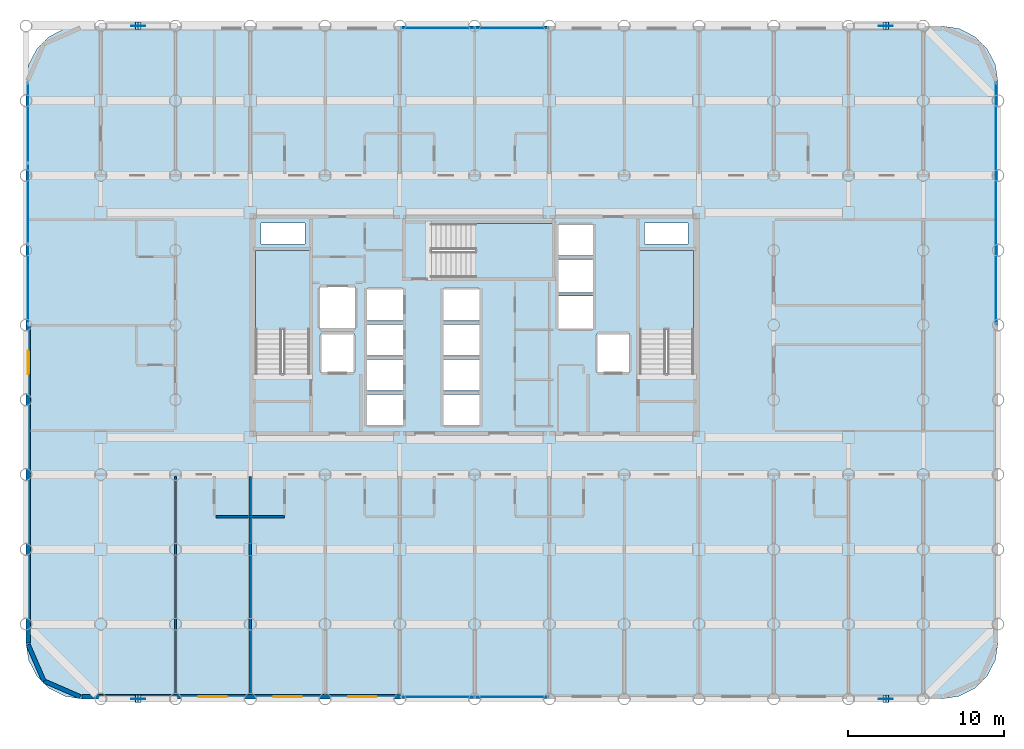
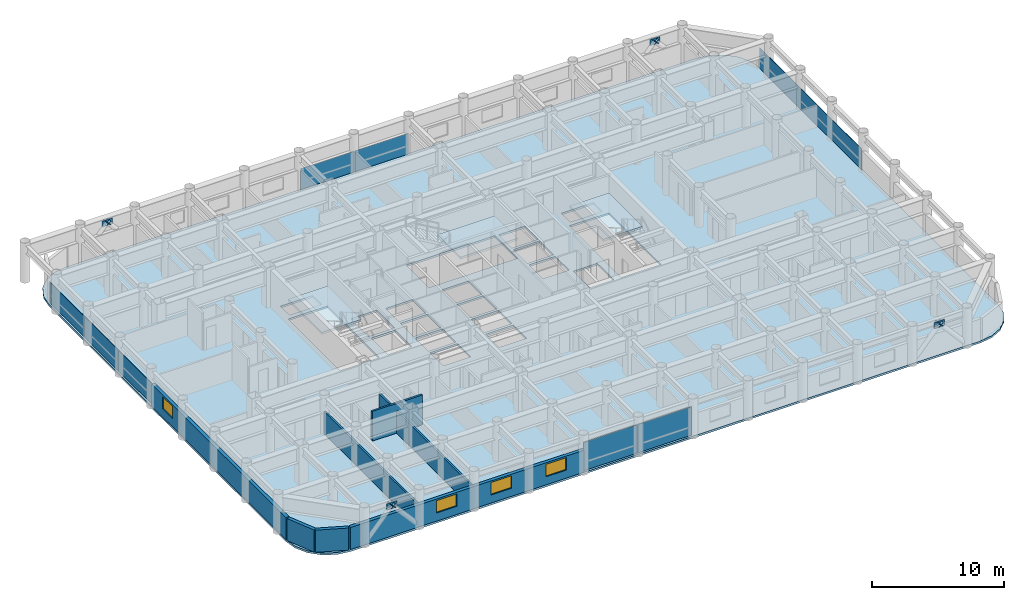
# One storey, part 14 of 21: 20 plates, 7 walls, 4 slabs, 4 windows, 4 openings, 7 elements without a shape of their own.
"""IFC4 building model written with IfcOpenShell, lengths in metres."""

from ifc_helpers import new_model, si_unit, direction, frame, frame_2d, origin, origin_2d, place, context, subcontext, project, spatial, polyline, rectangle, outline, extrude, material, layer, layer_set, type_object, element, fill, aggregate, save


model = new_model("IFC4")

# Units and contexts
model_context = context("Model", 3, precision=1e-05, world=origin(), true_north=direction((0.0, 1.0)))
body_context = subcontext(model_context, "Body", "Model", "MODEL_VIEW")
ifc_project = project(units=[si_unit("LENGTHUNIT", "METRE"), si_unit("AREAUNIT", "SQUARE_METRE"), si_unit("VOLUMEUNIT", "CUBIC_METRE"), si_unit("PLANEANGLEUNIT", "RADIAN"), si_unit("MASSUNIT", "GRAM", prefix="KILO")], contexts=[model_context])

# Site, building, storey
site_placement = place(None, origin())
site = spatial("IfcSite", under=ifc_project, at=site_placement, CompositionType="ELEMENT")
building_placement = place(site_placement, origin())
building = spatial("IfcBuilding", under=site, at=building_placement, Name="Kallvorn Hotel Tower", CompositionType="ELEMENT")
storey_placement = place(building_placement, frame((0.0, 0.0, 85.5)))
storey = spatial("IfcBuildingStorey", under=building, at=storey_placement, Name="L20", CompositionType="ELEMENT", Elevation=85.5)

# Curtain wall, plates
ifc_material_1 = material(Name="Thermally broken black-anodised aluminium AA 6063-T6", Category="aluminium")
ifc_layer_1 = layer(ifc_material_1, 0.199951171875)
ifc_layer_set_1 = layer_set([ifc_layer_1], Name="CW_SYS_3_HOTEL_LOW")
curtain_wall_type = type_object("IfcCurtainWallType", Name="CW_SYS_3_HOTEL_LOW", PredefinedType="USERDEFINED", material=ifc_layer_set_1)
curtain_wall_1_placement = place(storey_placement, origin())
curtain_wall_1 = element("IfcCurtainWall", 1, at=curtain_wall_1_placement, inside=storey, type_object=curtain_wall_type, Name="L20 Dark-Glass Curtain Wall CW-L20-SC", ObjectType="UNITISED CURTAIN WALL", PredefinedType="USERDEFINED")
ifc_material_2 = material(Name="Double-glazed low-e solar-control dark glass", Category="glass")
ifc_layer_2 = layer(ifc_material_2, 0.035888671875)
ifc_layer_set_2 = layer_set([ifc_layer_2], Name="CW_SYS_3_HOTEL_LOW_PANEL")
plate_type_1 = type_object("IfcPlateType", Name="CW_SYS_3_HOTEL_LOW_PANEL", PredefinedType="CURTAIN_PANEL", material=ifc_layer_set_2)
plate_1_placement = place(storey_placement, frame((-2.375, -23.8798828125, 0.06005859375), z_axis=(0.0, 0.0, 1.0), x_axis=(1.0, 0.0, 0.0)))
plate_1 = element("IfcPlate", 2, at=plate_1_placement, type_object=plate_type_1, Name="CW-L20-SC Vision Glass Panel 00", PredefinedType="CURTAIN_PANEL", context=body_context, shape_type="SweptSolid", body=[
    extrude(rectangle(XDim=4.68994140625, YDim=0.035888671875, at=origin_2d()), origin(), (0.0, 0.0, 1.0), 2.6298828125),
])
plate_2_placement = place(storey_placement, frame((2.375, -23.8798828125, 0.06005859375), z_axis=(0.0, 0.0, 1.0), x_axis=(1.0, 0.0, 0.0)))
plate_2 = element("IfcPlate", 3, at=plate_2_placement, type_object=plate_type_1, Name="CW-L20-SC Vision Glass Panel 01", PredefinedType="CURTAIN_PANEL", context=body_context, shape_type="SweptSolid", body=[
    extrude(rectangle(XDim=4.68994140625, YDim=0.035888671875, at=origin_2d()), origin(), (0.0, 0.0, 1.0), 2.6298828125),
])
aggregate(curtain_wall_1, [plate_1, plate_2])

curtain_wall_2_placement = place(storey_placement, origin())
curtain_wall_2 = element("IfcCurtainWall", 4, at=curtain_wall_2_placement, inside=storey, type_object=curtain_wall_type, Name="L20 Dark-Glass Curtain Wall CW-L20-NC", ObjectType="UNITISED CURTAIN WALL", PredefinedType="USERDEFINED")
plate_3_placement = place(storey_placement, frame((-2.375, 19.080078125, 0.06005859375), z_axis=(0.0, 0.0, 1.0), x_axis=(1.0, 0.0, 0.0)))
plate_3 = element("IfcPlate", 5, at=plate_3_placement, type_object=plate_type_1, Name="CW-L20-NC Vision Glass Panel 00", PredefinedType="CURTAIN_PANEL", context=body_context, shape_type="SweptSolid", body=[
    extrude(rectangle(XDim=4.68994140625, YDim=0.035888671875, at=origin_2d()), origin(), (0.0, 0.0, 1.0), 1.929931640625),
])
plate_4_placement = place(storey_placement, frame((2.375, 19.080078125, 0.06005859375), z_axis=(0.0, 0.0, 1.0), x_axis=(1.0, 0.0, 0.0)))
plate_4 = element("IfcPlate", 6, at=plate_4_placement, type_object=plate_type_1, Name="CW-L20-NC Vision Glass Panel 01", PredefinedType="CURTAIN_PANEL", context=body_context, shape_type="SweptSolid", body=[
    extrude(rectangle(XDim=4.68994140625, YDim=0.035888671875, at=origin_2d()), origin(), (0.0, 0.0, 1.0), 1.929931640625),
])
aggregate(curtain_wall_2, [plate_3, plate_4])

curtain_wall_3_placement = place(storey_placement, origin())
curtain_wall_3 = element("IfcCurtainWall", 7, at=curtain_wall_3_placement, inside=storey, type_object=curtain_wall_type, Name="L20 Dark-Glass Curtain Wall CW-L20-WN", ObjectType="UNITISED CURTAIN WALL", PredefinedType="USERDEFINED")
plate_5_placement = place(storey_placement, frame((-28.679931640625, 2.61669921875, 0.06005859375), z_axis=(0.0, 0.0, 1.0), x_axis=(0.0, 1.0, 0.0)))
plate_5 = element("IfcPlate", 8, at=plate_5_placement, type_object=plate_type_1, Name="CW-L20-WN Vision Glass Panel 00", PredefinedType="CURTAIN_PANEL", context=body_context, shape_type="SweptSolid", body=[
    extrude(rectangle(XDim=5.13330078125, YDim=0.035888671875, at=origin_2d()), origin(), (0.0, 0.0, 1.0), 1.929931640625),
])
plate_6_placement = place(storey_placement, frame((-28.679931640625, 7.81005859375, 0.06005859375), z_axis=(0.0, 0.0, 1.0), x_axis=(0.0, 1.0, 0.0)))
plate_6 = element("IfcPlate", 9, at=plate_6_placement, type_object=plate_type_1, Name="CW-L20-WN Vision Glass Panel 01", PredefinedType="CURTAIN_PANEL", context=body_context, shape_type="SweptSolid", body=[
    extrude(rectangle(XDim=5.13330078125, YDim=0.035888671875, at=origin_2d()), origin(), (0.0, 0.0, 1.0), 1.929931640625),
])
plate_7_placement = place(storey_placement, frame((-28.679931640625, 13.00341796875, 0.06005859375), z_axis=(0.0, 0.0, 1.0), x_axis=(0.0, 1.0, 0.0)))
plate_7 = element("IfcPlate", 10, at=plate_7_placement, type_object=plate_type_1, Name="CW-L20-WN Vision Glass Panel 02", PredefinedType="CURTAIN_PANEL", context=body_context, shape_type="SweptSolid", body=[
    extrude(rectangle(XDim=5.13330078125, YDim=0.035888671875, at=origin_2d()), origin(), (0.0, 0.0, 1.0), 1.929931640625),
])
aggregate(curtain_wall_3, [plate_5, plate_6, plate_7])

# Curtain wall, plate
curtain_wall_4_placement = place(storey_placement, origin())
curtain_wall_4 = element("IfcCurtainWall", 11, at=curtain_wall_4_placement, inside=storey, type_object=curtain_wall_type, Name="L20 Dark-Glass Curtain Wall CW-L20-EN", ObjectType="UNITISED CURTAIN WALL", PredefinedType="USERDEFINED")
plate_8_placement = place(storey_placement, frame((33.47998046875, 7.81005859375, 0.06005859375), z_axis=(0.0, 0.0, 1.0), x_axis=(0.0, 1.0, 0.0)))
plate_8 = element("IfcPlate", 12, at=plate_8_placement, type_object=plate_type_1, Name="CW-L20-EN Vision Glass Panel 00", PredefinedType="CURTAIN_PANEL", context=body_context, shape_type="SweptSolid", body=[
    extrude(rectangle(XDim=15.52001953125, YDim=0.035888671875, at=origin_2d()), origin(), (0.0, 0.0, 1.0), 1.929931640625),
])
aggregate(curtain_wall_4, [plate_8])

# Plates
ifc_material_3 = material(Name="Structural steel S355JR", Category="steel")
ifc_layer_3 = layer(ifc_material_3, 0.030029296875)
ifc_layer_set_3 = layer_set([ifc_layer_3], Name="PLT_CAP_30")
plate_type_2 = type_object("IfcPlateType", Name="PLT_CAP_30", PredefinedType="SHEET", material=ifc_layer_set_3)
plate_9_placement = place(storey_placement, frame((-21.411376953125, -24.2431640625, 2.736083984375), z_axis=(0.663147763944, 0.0, 0.748488505708), x_axis=(0.0, 1.0, 0.0)))
element("IfcPlate", 13, at=plate_9_placement, inside=storey, type_object=plate_type_2, Name="EXO-L20-S1A End Cap Plate B", PredefinedType="SHEET", context=body_context, shape_type="SweptSolid", body=[
    extrude(outline(polyline([(0.0, 0.0), (0.486328125, 0.0), (0.486328125, 0.48633167924309906), (0.0, 0.48633167924309906), (0.0, 0.0)])), origin(), (0.0, 0.0, -1.0), 0.030029296875),
])
plate_10_placement = place(storey_placement, frame((-21.788818359375, -23.7568359375, 2.736083984375), z_axis=(-0.662898646707, 0.0, 0.748709145259), x_axis=(0.0, -1.0, 0.0)))
element("IfcPlate", 14, at=plate_10_placement, inside=storey, type_object=plate_type_2, Name="EXO-L20-S1B End Cap Plate B", PredefinedType="SHEET", context=body_context, shape_type="SweptSolid", body=[
    extrude(outline(polyline([(0.0, 0.0), (0.486328125, 0.0), (0.486328125, 0.48651444263328664), (0.0, 0.48651444263328664), (0.0, 0.0)])), origin(), (0.0, 0.0, -1.0), 0.030029296875),
])
plate_11_placement = place(storey_placement, frame((26.588623046875, -24.2431640625, 2.736083984375), z_axis=(0.663147763944, 0.0, 0.748488505708), x_axis=(0.0, 1.0, 0.0)))
element("IfcPlate", 15, at=plate_11_placement, inside=storey, type_object=plate_type_2, Name="EXO-L20-S2A End Cap Plate B", PredefinedType="SHEET", context=body_context, shape_type="SweptSolid", body=[
    extrude(outline(polyline([(0.0, 0.0), (0.486328125, 0.0), (0.486328125, 0.48633167924309906), (0.0, 0.48633167924309906), (0.0, 0.0)])), origin(), (0.0, 0.0, -1.0), 0.030029296875),
])
plate_12_placement = place(storey_placement, frame((26.211181640625, -23.7568359375, 2.736083984375), z_axis=(-0.662898646707, 0.0, 0.748709145259), x_axis=(0.0, -1.0, 0.0)))
element("IfcPlate", 16, at=plate_12_placement, inside=storey, type_object=plate_type_2, Name="EXO-L20-S2B End Cap Plate B", PredefinedType="SHEET", context=body_context, shape_type="SweptSolid", body=[
    extrude(outline(polyline([(0.0, 0.0), (0.486328125, 0.0), (0.486328125, 0.48651444263328664), (0.0, 0.48651444263328664), (0.0, 0.0)])), origin(), (0.0, 0.0, -1.0), 0.030029296875),
])
plate_13_placement = place(storey_placement, frame((-21.411376953125, 18.956787109375, 2.736083984375), z_axis=(0.663147763944, 0.0, 0.748488505708), x_axis=(0.0, 1.0, 0.0)))
element("IfcPlate", 17, at=plate_13_placement, inside=storey, type_object=plate_type_2, Name="EXO-L20-N1A End Cap Plate B", PredefinedType="SHEET", context=body_context, shape_type="SweptSolid", body=[
    extrude(outline(polyline([(0.0, 0.0), (0.486328125, 0.0), (0.486328125, 0.48633167924309906), (0.0, 0.48633167924309906), (0.0, 0.0)])), origin(), (0.0, 0.0, -1.0), 0.030029296875),
])
plate_14_placement = place(storey_placement, frame((-21.788818359375, 19.443115234375, 2.736083984375), z_axis=(-0.662898646707, 0.0, 0.748709145259), x_axis=(0.0, -1.0, 0.0)))
element("IfcPlate", 18, at=plate_14_placement, inside=storey, type_object=plate_type_2, Name="EXO-L20-N1B End Cap Plate B", PredefinedType="SHEET", context=body_context, shape_type="SweptSolid", body=[
    extrude(outline(polyline([(0.0, 0.0), (0.486328125, 0.0), (0.486328125, 0.48651444263328664), (0.0, 0.48651444263328664), (0.0, 0.0)])), origin(), (0.0, 0.0, -1.0), 0.030029296875),
])
plate_15_placement = place(storey_placement, frame((26.588623046875, 18.956787109375, 2.736083984375), z_axis=(0.663147763944, 0.0, 0.748488505708), x_axis=(0.0, 1.0, 0.0)))
element("IfcPlate", 19, at=plate_15_placement, inside=storey, type_object=plate_type_2, Name="EXO-L20-N2A End Cap Plate B", PredefinedType="SHEET", context=body_context, shape_type="SweptSolid", body=[
    extrude(outline(polyline([(0.0, 0.0), (0.486328125, 0.0), (0.486328125, 0.48633167924309906), (0.0, 0.48633167924309906), (0.0, 0.0)])), origin(), (0.0, 0.0, -1.0), 0.030029296875),
])
plate_16_placement = place(storey_placement, frame((26.211181640625, 19.443115234375, 2.736083984375), z_axis=(-0.662898646707, 0.0, 0.748709145259), x_axis=(0.0, -1.0, 0.0)))
element("IfcPlate", 20, at=plate_16_placement, inside=storey, type_object=plate_type_2, Name="EXO-L20-N2B End Cap Plate B", PredefinedType="SHEET", context=body_context, shape_type="SweptSolid", body=[
    extrude(outline(polyline([(0.0, 0.0), (0.486328125, 0.0), (0.486328125, 0.48651444263328664), (0.0, 0.48651444263328664), (0.0, 0.0)])), origin(), (0.0, 0.0, -1.0), 0.030029296875),
])
ifc_material_4 = material(Name="Structural steel S355JR", Category="steel")
ifc_layer_4 = layer(ifc_material_4, 0.044921875)
ifc_layer_set_4 = layer_set([ifc_layer_4], Name="PLT_GUSSET_45")
plate_type_3 = type_object("IfcPlateType", Name="PLT_GUSSET_45", PredefinedType="USERDEFINED", material=ifc_layer_set_4)
for number, where, z_axis, x_axis, name in (
    (21, (-21.60009765625, -24.0, 2.570068359375), (0.0, 0.0, 1.0), (1.0, 0.0, 0.0), "L20 Exoskeleton Node Gusset S1"),
    (22, (26.39990234375, -24.0, 2.570068359375), (0.0, 0.0, 1.0), (1.0, 0.0, 0.0), "L20 Exoskeleton Node Gusset S2"),
    (23, (-21.60009765625, 19.199951171875, 2.570068359375), (0.0, 0.0, 1.0), (1.0, 0.0, 0.0), "L20 Exoskeleton Node Gusset N1"),
    (24, (26.39990234375, 19.199951171875, 2.570068359375), (0.0, 0.0, 1.0), (1.0, 0.0, 0.0), "L20 Exoskeleton Node Gusset N2"),
):
    element("IfcPlate", number, at=place(storey_placement, frame(where, z_axis=z_axis, x_axis=x_axis)), inside=storey, type_object=plate_type_3, Name=name, ObjectType="GUSSET PLATE", PredefinedType="USERDEFINED", context=body_context, shape_type="SweptSolid", body=[
        extrude(rectangle(XDim=0.89990234375, YDim=0.044921875, at=origin_2d()), origin(), (0.0, 0.0, 1.0), 0.56005859375),
    ])

# Stair, slab
ifc_material_5 = material(Name="Precast concrete C40/50", Category="concrete")
stair_type = type_object("IfcStairType", Name="STR_CORE_DOGLEG", PredefinedType="HALF_TURN_STAIR", material=ifc_material_5)
stair_1_placement = place(storey_placement, origin())
stair_1 = element("IfcStair", 25, at=stair_1_placement, inside=storey, type_object=stair_type, Name="L20 Exit stair ST1", PredefinedType="HALF_TURN_STAIR")
ifc_material_6 = material(Name="Precast concrete C40/50", Category="concrete")
ifc_layer_5 = layer(ifc_material_6, 0.179931640625)
ifc_layer_set_5 = layer_set([ifc_layer_5], Name="SLB_LANDING_180")
slab_type_1 = type_object("IfcSlabType", Name="SLB_LANDING_180", PredefinedType="LANDING", material=ifc_layer_set_5)
slab_1_placement = place(storey_placement, frame((0.0, 0.0, 1.64990234375)))
slab_1 = element("IfcSlab", 26, at=slab_1_placement, type_object=slab_type_1, Name="ST1 landing 1", PredefinedType="LANDING", context=body_context, shape_type="SweptSolid", body=[
    extrude(outline(polyline([(-10.60009765625, -0.31005859375), (-10.60009765625, 4.800048828125), (-14.06005859375, 4.800048828125), (-14.06005859375, -0.31005859375), (-10.60009765625, -0.31005859375)])), origin(), (0.0, 0.0, 1.0), 0.2001953125),
])
aggregate(stair_1, [slab_1])

stair_2_placement = place(storey_placement, origin())
stair_2 = element("IfcStair", 27, at=stair_2_placement, inside=storey, type_object=stair_type, Name="L20 Exit stair ST2", PredefinedType="HALF_TURN_STAIR")
slab_2_placement = place(storey_placement, frame((0.0, 0.0, 1.64990234375)))
slab_2 = element("IfcSlab", 28, at=slab_2_placement, type_object=slab_type_1, Name="ST2 landing 1", PredefinedType="LANDING", context=body_context, shape_type="SweptSolid", body=[
    extrude(outline(polyline([(14.06005859375, -0.31005859375), (14.06005859375, 4.800048828125), (10.60009765625, 4.800048828125), (10.60009765625, -0.31005859375), (14.06005859375, -0.31005859375)])), origin(), (0.0, 0.0, 1.0), 0.2001953125),
])
aggregate(stair_2, [slab_2])

stair_3_placement = place(storey_placement, origin())
stair_3 = element("IfcStair", 29, at=stair_3_placement, inside=storey, type_object=stair_type, Name="L20 Exit stair ST3", PredefinedType="HALF_TURN_STAIR")
slab_3_placement = place(storey_placement, frame((0.0, 0.0, 1.64990234375)))
slab_3 = element("IfcSlab", 30, at=slab_3_placement, type_object=slab_type_1, Name="ST3 landing 1", PredefinedType="LANDING", context=body_context, shape_type="SweptSolid", body=[
    extrude(outline(polyline([(0.0400390625, 3.050048828125), (5.050048828125, 3.050048828125), (5.050048828125, 6.510009765625), (0.0400390625, 6.510009765625), (0.0400390625, 3.050048828125)])), origin(), (0.0, 0.0, 1.0), 0.2001953125),
])
aggregate(stair_3, [slab_3])

# Slab
ifc_material_7 = material(Name="Concrete C40/50", Category="concrete")
ifc_layer_6 = layer(ifc_material_7, 0.179931640625)
ifc_layer_set_6 = layer_set([ifc_layer_6], Name="SLB_TOWER_180")
slab_type_2 = type_object("IfcSlabType", Name="SLB_TOWER_180", PredefinedType="FLOOR", material=ifc_layer_set_6)
slab_4_placement = place(storey_placement, frame((0.0, 0.0, -0.179931640625)))
element("IfcSlab", 31, at=slab_4_placement, inside=storey, type_object=slab_type_2, Name="L20 Structural Floor Slab", PredefinedType="FLOOR", context=body_context, shape_type="SweptSolid", body=[
    extrude(outline(polyline([(30.0, -24.0), (31.112548828125, -23.82373046875), (32.115966796875, -23.3125), (32.91259765625, -22.51611328125), (33.423828125, -21.512451171875), (33.60009765625, -20.39990234375), (33.60009765625, 15.60009765625), (33.423828125, 16.71240234375), (32.91259765625, 17.716064453125), (32.115966796875, 18.512451171875), (31.112548828125, 19.023681640625), (30.0, 19.199951171875), (-25.199951171875, 19.199951171875), (-26.3125, 19.023681640625), (-27.31591796875, 18.512451171875), (-28.112548828125, 17.716064453125), (-28.623779296875, 16.71240234375), (-28.800048828125, 15.60009765625), (-28.800048828125, -20.39990234375), (-28.623779296875, -21.512451171875), (-28.112548828125, -22.51611328125), (-27.31591796875, -23.3125), (-26.3125, -23.82373046875), (-25.199951171875, -24.0), (30.0, -24.0)]), holes=[polyline([(-10.60009765625, -3.070068359375), (-10.60009765625, 4.800048828125), (-14.06005859375, 4.800048828125), (-14.06005859375, -3.070068359375), (-10.60009765625, -3.070068359375)]), polyline([(14.06005859375, -3.070068359375), (14.06005859375, 4.800048828125), (10.60009765625, 4.800048828125), (10.60009765625, -3.070068359375), (14.06005859375, -3.070068359375)]), polyline([(-2.719970703125, 3.050048828125), (5.050048828125, 3.050048828125), (5.050048828125, 6.510009765625), (-2.719970703125, 6.510009765625), (-2.719970703125, 3.050048828125)]), polyline([(-6.949951171875, -6.449951171875), (-4.550048828125, -6.449951171875), (-4.550048828125, -4.449951171875), (-6.949951171875, -4.449951171875), (-6.949951171875, -6.449951171875)]), polyline([(-6.949951171875, -4.199951171875), (-4.550048828125, -4.199951171875), (-4.550048828125, -2.199951171875), (-6.949951171875, -2.199951171875), (-6.949951171875, -4.199951171875)]), polyline([(-6.949951171875, -1.949951171875), (-4.550048828125, -1.949951171875), (-4.550048828125, 0.050048828125), (-6.949951171875, 0.050048828125), (-6.949951171875, -1.949951171875)]), polyline([(-6.949951171875, 0.300048828125), (-4.550048828125, 0.300048828125), (-4.550048828125, 2.300048828125), (-6.949951171875, 2.300048828125), (-6.949951171875, 0.300048828125)]), polyline([(-2.050048828125, -6.449951171875), (0.35009765625, -6.449951171875), (0.35009765625, -4.449951171875), (-2.050048828125, -4.449951171875), (-2.050048828125, -6.449951171875)]), polyline([(-2.050048828125, -4.199951171875), (0.35009765625, -4.199951171875), (0.35009765625, -2.199951171875), (-2.050048828125, -2.199951171875), (-2.050048828125, -4.199951171875)]), polyline([(-2.050048828125, -1.949951171875), (0.35009765625, -1.949951171875), (0.35009765625, 0.050048828125), (-2.050048828125, 0.050048828125), (-2.050048828125, -1.949951171875)]), polyline([(-2.050048828125, 0.300048828125), (0.35009765625, 0.300048828125), (0.35009765625, 2.300048828125), (-2.050048828125, 2.300048828125), (-2.050048828125, 0.300048828125)]), polyline([(5.35009765625, -0.25), (7.64990234375, -0.25), (7.64990234375, 1.85009765625), (5.35009765625, 1.85009765625), (5.35009765625, -0.25)]), polyline([(5.35009765625, 2.10009765625), (7.64990234375, 2.10009765625), (7.64990234375, 4.199951171875), (5.35009765625, 4.199951171875), (5.35009765625, 2.10009765625)]), polyline([(5.35009765625, 4.449951171875), (7.64990234375, 4.449951171875), (7.64990234375, 6.449951171875), (5.35009765625, 6.449951171875), (5.35009765625, 4.449951171875)]), polyline([(-9.85009765625, -3.050048828125), (-7.75, -3.050048828125), (-7.75, -0.550048828125), (-9.85009765625, -0.550048828125), (-9.85009765625, -3.050048828125)]), polyline([(7.85009765625, -3.050048828125), (9.949951171875, -3.050048828125), (9.949951171875, -0.550048828125), (7.85009765625, -0.550048828125), (7.85009765625, -3.050048828125)]), polyline([(-9.949951171875, -0.25), (-7.64990234375, -0.25), (-7.64990234375, 2.449951171875), (-9.949951171875, 2.449951171875), (-9.949951171875, -0.25)]), polyline([(-13.699951171875, 5.199951171875), (-10.89990234375, 5.199951171875), (-10.89990234375, 6.550048828125), (-13.699951171875, 6.550048828125), (-13.699951171875, 5.199951171875)]), polyline([(10.89990234375, 5.199951171875), (13.699951171875, 5.199951171875), (13.699951171875, 6.550048828125), (10.89990234375, 6.550048828125), (10.89990234375, 5.199951171875)])]), origin(), (0.0, 0.0, 1.0), 0.179931640625),
])

# Walls
ifc_material_8 = material(Name="Fire-rated double-layer acoustic gypsum drywall EI 60")
ifc_layer_7 = layer(ifc_material_8, 0.159912109375)
ifc_layer_set_7 = layer_set([ifc_layer_7], Name="WL_DEMISE_160")
wall_type_1 = type_object("IfcWallType", Name="WL_DEMISE_160", PredefinedType="PARTITIONING", material=ifc_layer_set_7)
wall_1_placement = place(storey_placement, frame((-16.610107421875, -12.320068359375, 0.0), z_axis=(0.0, 0.0, 1.0), x_axis=(1.0, 0.0, 0.0)))
element("IfcWall", 32, at=wall_1_placement, inside=storey, type_object=wall_type_1, Name="L20 Suite 2003 Superior Twin Room Partition", PredefinedType="PARTITIONING", context=body_context, shape_type="SweptSolid", body=[
    extrude(rectangle(XDim=4.420166015625, YDim=0.159912109375, at=frame_2d((2.2099609375, 0.0))), origin(), (0.0, 0.0, 1.0), 2.75),
])
for number, where, z_axis, x_axis, name in (
    (33, (-19.199951171875, -23.7099609375, 0.0), (0.0, 0.0, 1.0), (0.0, 1.0, 0.0), "L20 Suite 2003 Superior Twin Room Partition"),
    (34, (-14.39990234375, -23.7099609375, 0.0), (0.0, 0.0, 1.0), (0.0, 1.0, 0.0), "L20 Suite 2003 Superior Twin Room Partition"),
):
    element("IfcWall", number, at=place(storey_placement, frame(where, z_axis=z_axis, x_axis=x_axis)), inside=storey, type_object=wall_type_1, Name=name, PredefinedType="PARTITIONING", context=body_context, shape_type="SweptSolid", body=[
        extrude(rectangle(XDim=13.989990234375, YDim=0.159912109375, at=frame_2d((6.9951171875, 0.0))), origin(), (0.0, 0.0, 1.0), 2.050048828125),
    ])
ifc_material_9 = material(Name="Precast basalt-clad insulated concrete wall C40/50", Category="masonry")
ifc_layer_8 = layer(ifc_material_9, 0.280029296875)
ifc_layer_set_8 = layer_set([ifc_layer_8], Name="WL_EXT_LOGGIA_280")
wall_type_2 = type_object("IfcWallType", Name="WL_EXT_LOGGIA_280", PredefinedType="SOLIDWALL", material=ifc_layer_set_8)
wall_2_placement = place(storey_placement, frame((-28.657958984375, -20.520751953125, 0.0), z_axis=(0.0, 0.0, 1.0), x_axis=(0.398792985289, -0.917040977756, 0.0)))
element("IfcWall", 35, at=wall_2_placement, inside=storey, type_object=wall_type_2, Name="L20 Rounded Corner Exterior Wall SW1", PredefinedType="SOLIDWALL", context=body_context, shape_type="SweptSolid", body=[
    extrude(rectangle(XDim=2.536376953125, YDim=0.280029296875, at=frame_2d((1.26806640625, 0.0))), origin(), (0.0, 0.0, 1.0), 2.050048828125),
])
wall_3_placement = place(storey_placement, frame((-27.646484375, -22.8466796875, 0.0), z_axis=(0.0, 0.0, 1.0), x_axis=(0.917060872934, -0.398747232384, 0.0)))
element("IfcWall", 36, at=wall_3_placement, inside=storey, type_object=wall_type_2, Name="L20 Rounded Corner Exterior Wall SW2", PredefinedType="SOLIDWALL", context=body_context, shape_type="SweptSolid", body=[
    extrude(rectangle(XDim=2.5361328125, YDim=0.280029296875, at=frame_2d((1.26806640625, 0.0))), origin(), (0.0, 0.0, 1.0), 2.050048828125),
])

# Wall, openings, windows
wall_4_placement = place(storey_placement, frame((-25.199951171875, -23.860107421875, 0.0), z_axis=(0.0, 0.0, 1.0), x_axis=(1.0, 0.0, 0.0)))
wall_4 = element("IfcWall", 37, at=wall_4_placement, inside=storey, type_object=wall_type_2, Name="L20 Exterior Envelope Wall EW-L20-SW", PredefinedType="SOLIDWALL", context=body_context, shape_type="SweptSolid", body=[
    extrude(rectangle(XDim=20.449951171875, YDim=0.280029296875, at=frame_2d((10.22509765625, 0.0))), origin(), (0.0, 0.0, 1.0), 2.050048828125),
])
opening_1_placement = place(wall_4_placement, frame((7.5, 0.0, 0.75)))
opening_1 = element("IfcOpeningElement", 38, at=opening_1_placement, cuts=wall_4, Name="Opening W04A", PredefinedType="OPENING", context=body_context, shape_type="SweptSolid", body=[
    extrude(rectangle(XDim=1.800048828125, YDim=1.14990234375, at=frame_2d((0.89990234375, 0.574951171875))), frame((0.0, 0.155029296875, 0.0), z_axis=(0.0, -1.0, 0.0), x_axis=(1.0, 0.0, 0.0)), (0.0, 0.0, 1.0), 0.31005859375),
])
opening_2_placement = place(wall_4_placement, frame((12.300048828125, 0.0, 0.75)))
opening_2 = element("IfcOpeningElement", 39, at=opening_2_placement, cuts=wall_4, Name="Opening W04A", PredefinedType="OPENING", context=body_context, shape_type="SweptSolid", body=[
    extrude(rectangle(XDim=1.800048828125, YDim=1.14990234375, at=frame_2d((0.89990234375, 0.574951171875))), frame((0.0, 0.155029296875, 0.0), z_axis=(0.0, -1.0, 0.0), x_axis=(1.0, 0.0, 0.0)), (0.0, 0.0, 1.0), 0.31005859375),
])
opening_3_placement = place(wall_4_placement, frame((17.10009765625, 0.0, 0.75)))
opening_3 = element("IfcOpeningElement", 40, at=opening_3_placement, cuts=wall_4, Name="Opening W04A", PredefinedType="OPENING", context=body_context, shape_type="SweptSolid", body=[
    extrude(rectangle(XDim=1.800048828125, YDim=1.14990234375, at=frame_2d((0.89990234375, 0.574951171875))), frame((0.0, 0.155029296875, 0.0), z_axis=(0.0, -1.0, 0.0), x_axis=(1.0, 0.0, 0.0)), (0.0, 0.0, 1.0), 0.31005859375),
])
ifc_material_10 = material(Name="Double-glazed low-e solar-control dark glass", Category="glass")
window_type_1 = type_object("IfcWindowType", Name="WN_HTL_1800x1150", PartitioningType="SINGLE_PANEL", PredefinedType="WINDOW", material=ifc_material_10)
window_1_placement = place(opening_1_placement, origin())
window_1 = element("IfcWindow", 41, at=window_1_placement, inside=storey, type_object=window_type_1, Name="L20 Guestroom Exterior Window 02", OverallHeight=1.14990234375, OverallWidth=1.800048828125, PartitioningType="SINGLE_PANEL", PredefinedType="WINDOW", context=body_context, shape_type="SweptSolid", body=[
    extrude(rectangle(XDim=1.800048828125, YDim=1.14990234375, at=frame_2d((0.89990234375, 0.574951171875))), frame((0.0, 0.030029296875, 0.0), z_axis=(0.0, -1.0, 0.0), x_axis=(1.0, 0.0, 0.0)), (0.0, 0.0, 1.0), 0.06005859375),
])
fill(opening_1, window_1)
window_2_placement = place(opening_2_placement, origin())
window_2 = element("IfcWindow", 42, at=window_2_placement, inside=storey, type_object=window_type_1, Name="L20 Guestroom Exterior Window 03", OverallHeight=1.14990234375, OverallWidth=1.800048828125, PartitioningType="SINGLE_PANEL", PredefinedType="WINDOW", context=body_context, shape_type="SweptSolid", body=[
    extrude(rectangle(XDim=1.800048828125, YDim=1.14990234375, at=frame_2d((0.89990234375, 0.574951171875))), frame((0.0, 0.030029296875, 0.0), z_axis=(0.0, -1.0, 0.0), x_axis=(1.0, 0.0, 0.0)), (0.0, 0.0, 1.0), 0.06005859375),
])
fill(opening_2, window_2)
window_3_placement = place(opening_3_placement, origin())
window_3 = element("IfcWindow", 43, at=window_3_placement, inside=storey, type_object=window_type_1, Name="L20 Guestroom Exterior Window 04", OverallHeight=1.14990234375, OverallWidth=1.800048828125, PartitioningType="SINGLE_PANEL", PredefinedType="WINDOW", context=body_context, shape_type="SweptSolid", body=[
    extrude(rectangle(XDim=1.800048828125, YDim=1.14990234375, at=frame_2d((0.89990234375, 0.574951171875))), frame((0.0, 0.030029296875, 0.0), z_axis=(0.0, -1.0, 0.0), x_axis=(1.0, 0.0, 0.0)), (0.0, 0.0, 1.0), 0.06005859375),
])
fill(opening_3, window_3)

# Wall, opening, window
wall_5_placement = place(storey_placement, frame((-28.659912109375, -20.39990234375, 0.0), z_axis=(0.0, 0.0, 1.0), x_axis=(0.0, 1.0, 0.0)))
wall_5 = element("IfcWall", 44, at=wall_5_placement, inside=storey, type_object=wall_type_2, Name="L20 Exterior Envelope Wall EW-L20-WS", PredefinedType="SOLIDWALL", context=body_context, shape_type="SweptSolid", body=[
    extrude(rectangle(XDim=20.3798828125, YDim=0.280029296875, at=frame_2d((10.18994140625, 0.0))), origin(), (0.0, 0.0, 1.0), 2.050048828125),
])
opening_4_placement = place(wall_5_placement, frame((17.25, 0.0, 0.75)))
opening_4 = element("IfcOpeningElement", 45, at=opening_4_placement, cuts=wall_5, Name="Opening W05A", PredefinedType="OPENING", context=body_context, shape_type="SweptSolid", body=[
    extrude(rectangle(XDim=1.5, YDim=1.14990234375, at=frame_2d((0.75, 0.574951171875))), frame((0.0, 0.155029296875, 0.0), z_axis=(0.0, -1.0, 0.0), x_axis=(1.0, 0.0, 0.0)), (0.0, 0.0, 1.0), 0.31005859375),
])
ifc_material_11 = material(Name="Double-glazed low-e solar-control dark glass", Category="glass")
window_type_2 = type_object("IfcWindowType", Name="WN_HTL_1500x1150", PartitioningType="SINGLE_PANEL", PredefinedType="WINDOW", material=ifc_material_11)
window_4_placement = place(opening_4_placement, origin())
window_4 = element("IfcWindow", 46, at=window_4_placement, inside=storey, type_object=window_type_2, Name="L20 Flank Wing Window 01", OverallHeight=1.14990234375, OverallWidth=1.5, PartitioningType="SINGLE_PANEL", PredefinedType="WINDOW", context=body_context, shape_type="SweptSolid", body=[
    extrude(rectangle(XDim=1.5, YDim=1.14990234375, at=frame_2d((0.75, 0.574951171875))), frame((0.0, 0.030029296875, 0.0), z_axis=(0.0, -1.0, 0.0), x_axis=(1.0, 0.0, 0.0)), (0.0, 0.0, 1.0), 0.06005859375),
])
fill(opening_4, window_4)

save(model, "model.ifc")
